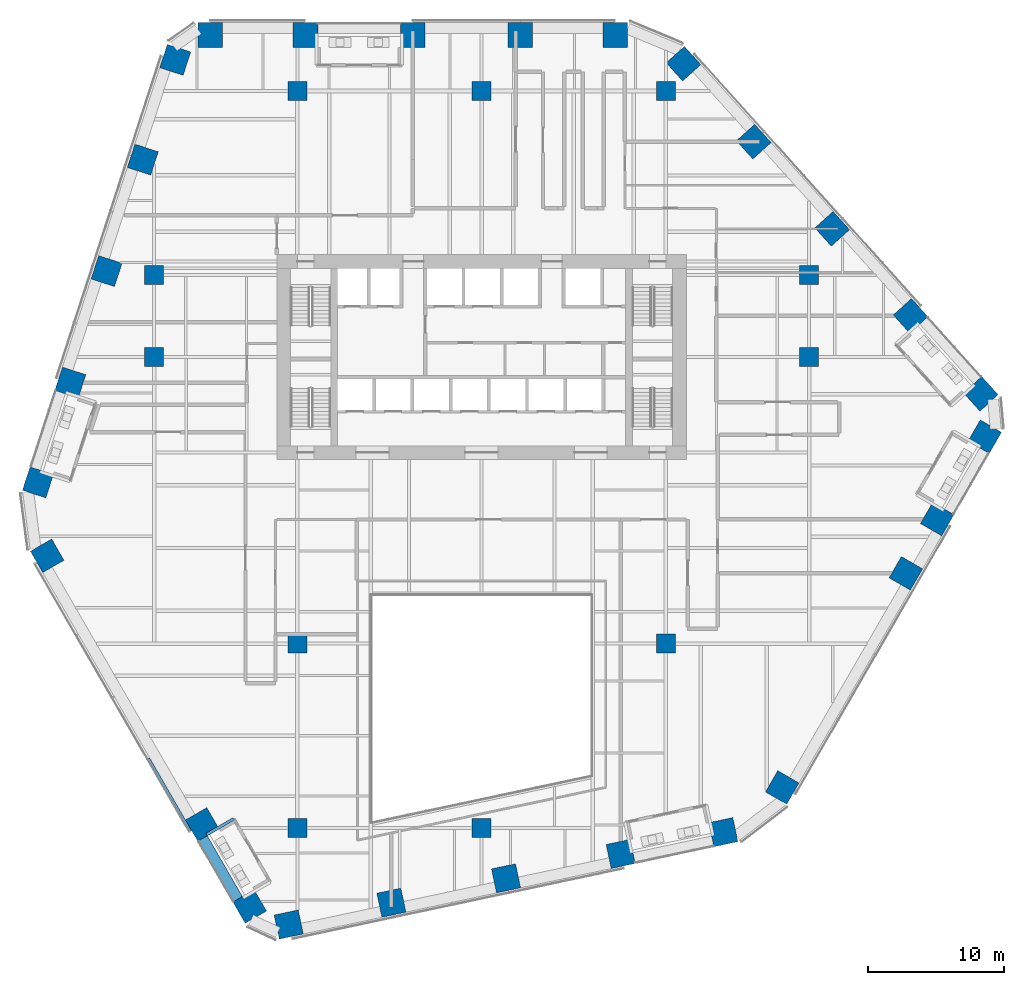
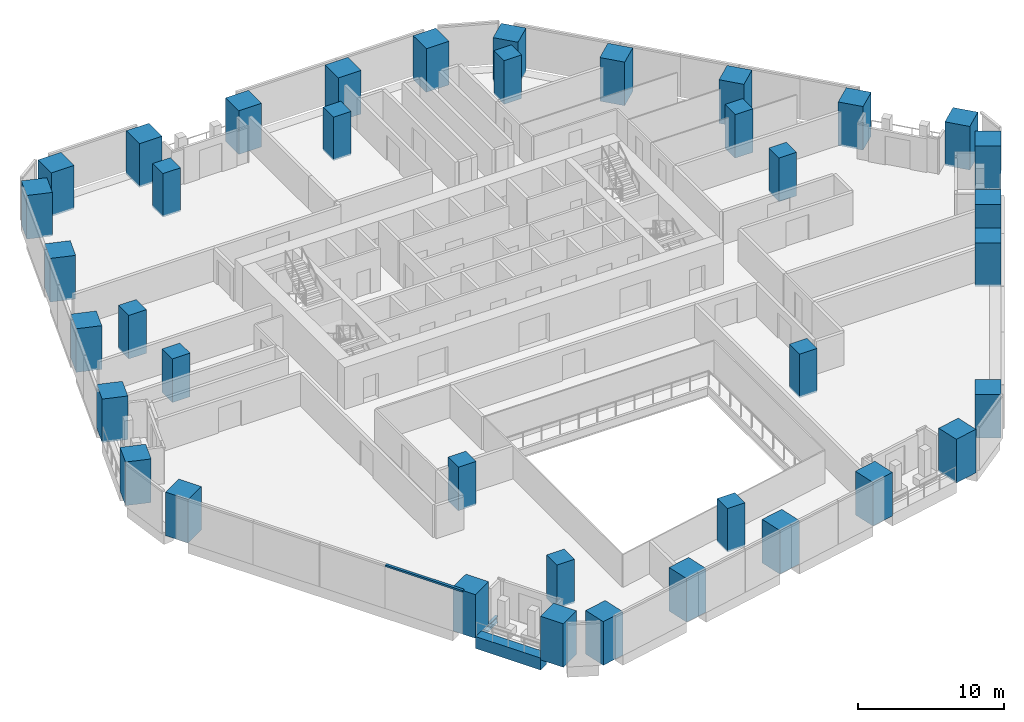
# One storey, part 1 of 31: 38 columns, 2 beams, 1 member, 1 element without a shape of its own.
"""IFC4 building model written with IfcOpenShell, lengths in metres."""

from ifc_helpers import new_model, si_unit, direction, frame, origin, origin_2d, place, context, subcontext, project, spatial, rectangle, i_section, extrude, material, layer, layer_set, material_profile, profile_set, type_object, element, aggregate, save


model = new_model("IFC4")

# Units and contexts
model_context = context("Model", 3, precision=1e-05, world=origin(), true_north=direction((0.0, 1.0)))
body_context = subcontext(model_context, "Body", "Model", "MODEL_VIEW")
ifc_project = project(units=[si_unit("LENGTHUNIT", "METRE"), si_unit("AREAUNIT", "SQUARE_METRE"), si_unit("VOLUMEUNIT", "CUBIC_METRE"), si_unit("PLANEANGLEUNIT", "RADIAN"), si_unit("MASSUNIT", "GRAM", prefix="KILO")], contexts=[model_context])

# Site, building, storey
site_placement = place(None, origin())
site = spatial("IfcSite", under=ifc_project, at=site_placement, CompositionType="ELEMENT")
building_placement = place(site_placement, origin())
building = spatial("IfcBuilding", under=site, at=building_placement, Name="Isthmus Gate Tower", CompositionType="ELEMENT")
storey_placement = place(building_placement, frame((0.0, 0.0, 54.25)))
storey = spatial("IfcBuildingStorey", under=building, at=storey_placement, Name="L11", CompositionType="ELEMENT", Elevation=54.25)

# Columns
ifc_material_1 = material(Name="Concrete f'c 70 MPa", Category="concrete")
ifc_material_profile_1 = material_profile(ifc_material_1, rectangle(XDim=1.39990234375, YDim=1.39990234375, at=origin_2d()), Name="RC 1400X1400")
ifc_profile_set_1 = profile_set([ifc_material_profile_1], Name="Concrete f'c 70 MPa")
column_type_1 = type_object("IfcColumnType", Name="RC INTERIOR COLUMN 1400 X 1400", PredefinedType="COLUMN", material=ifc_profile_set_1)
for number, where, z_axis, x_axis, name in (
    (1, (-24.0, 7.5, -0.14990234375), (0.0, 0.0, 1.0), (1.0, 0.0, 0.0), "str-icol-L11-ICA3"),
    (2, (-24.0, 13.5, -0.14990234375), (0.0, 0.0, 1.0), (1.0, 0.0, 0.0), "str-icol-L11-ICA4"),
    (3, (-13.5, -27.0, -0.14990234375), (0.0, 0.0, 1.0), (1.0, 0.0, 0.0), "str-icol-L11-ICB1"),
    (4, (-13.5, -13.5, -0.14990234375), (0.0, 0.0, 1.0), (1.0, 0.0, 0.0), "str-icol-L11-ICB2"),
    (5, (-13.5, 27.0, -0.14990234375), (0.0, 0.0, 1.0), (1.0, 0.0, 0.0), "str-icol-L11-ICB5"),
    (6, (0.0, -27.0, -0.14990234375), (0.0, 0.0, 1.0), (1.0, 0.0, 0.0), "str-icol-L11-ICC1"),
    (7, (0.0, 27.0, -0.14990234375), (0.0, 0.0, 1.0), (1.0, 0.0, 0.0), "str-icol-L11-ICC5"),
    (8, (13.5, -13.5, -0.14990234375), (0.0, 0.0, 1.0), (1.0, 0.0, 0.0), "str-icol-L11-ICD2"),
    (9, (13.5, 27.0, -0.14990234375), (0.0, 0.0, 1.0), (1.0, 0.0, 0.0), "str-icol-L11-ICD5"),
    (10, (24.0, 7.5, -0.14990234375), (0.0, 0.0, 1.0), (1.0, 0.0, 0.0), "str-icol-L11-ICE3"),
    (11, (24.0, 13.5, -0.14990234375), (0.0, 0.0, 1.0), (1.0, 0.0, 0.0), "str-icol-L11-ICE4"),
):
    element("IfcColumn", number, at=place(storey_placement, frame(where, z_axis=z_axis, x_axis=x_axis)), inside=storey, type_object=column_type_1, Name=name, PredefinedType="COLUMN", context=body_context, shape_type="SweptSolid", body=[
        extrude(rectangle(XDim=1.39990234375, YDim=1.39990234375, at=origin_2d()), origin(), (0.0, 0.0, 1.0), 3.64990234375),
    ])
ifc_material_2 = material(Name="Concrete f'c 70 MPa", Category="concrete")
ifc_material_profile_2 = material_profile(ifc_material_2, rectangle(XDim=1.800048828125, YDim=1.800048828125, at=origin_2d()), Name="RC 1800X1800")
ifc_profile_set_2 = profile_set([ifc_material_profile_2], Name="Concrete f'c 70 MPa")
column_type_2 = type_object("IfcColumnType", Name="RC TUBE COLUMN 1800 X 1800", PredefinedType="COLUMN", material=ifc_profile_set_2)
for number, where, z_axis, x_axis, name in (
    (12, (9.8017578125, 31.10009765625, -0.14990234375), (0.0, 0.0, 1.0), (-1.0, 0.0, 0.0), "str-tcol-L11-T1N0"),
    (13, (2.832275390625, 31.10009765625, -0.14990234375), (0.0, 0.0, 1.0), (-1.0, 0.0, 0.0), "str-tcol-L11-T1N1"),
    (14, (-5.037109375, 31.10009765625, -0.14990234375), (0.0, 0.0, 1.0), (-1.0, 0.0, 0.0), "str-tcol-L11-T1N2"),
    (15, (-12.90673828125, 31.10009765625, -0.14990234375), (0.0, 0.0, 1.0), (-1.0, 0.0, 0.0), "str-tcol-L11-T1N3"),
    (16, (-19.876220703125, 31.10009765625, -0.14990234375), (0.0, 0.0, 1.0), (-1.0, 0.0, 0.0), "str-tcol-L11-T1N4"),
    (17, (-22.451171875, 29.281005859375, -0.14990234375), (0.0, 0.0, 1.0), (-0.309016994375, -0.951056516295, 0.0), "str-tcol-L11-T1NW0"),
    (18, (-24.827392578125, 21.9677734375, -0.14990234375), (0.0, 0.0, 1.0), (-0.309016994375, -0.951056516295, 0.0), "str-tcol-L11-T1NW1"),
    (19, (-27.481689453125, 13.798828125, -0.14990234375), (0.0, 0.0, 1.0), (-0.309016994375, -0.951056516295, 0.0), "str-tcol-L11-T1NW2"),
    (20, (-30.135986328125, 5.6298828125, -0.14990234375), (0.0, 0.0, 1.0), (-0.309016994375, -0.951056516295, 0.0), "str-tcol-L11-T1NW3"),
    (21, (-32.511962890625, -1.68310546875, -0.14990234375), (0.0, 0.0, 1.0), (-0.309016994375, -0.951056516295, 0.0), "str-tcol-L11-T1NW4"),
    (22, (-31.834228515625, -7.061279296875, -0.14990234375), (0.0, 0.0, 1.0), (0.5, -0.866025403784, 0.0), "str-tcol-L11-T1SW0"),
    (23, (-20.467041015625, -26.75, -0.14990234375), (0.0, 0.0, 1.0), (0.5, -0.866025403784, 0.0), "str-tcol-L11-T1SW2"),
    (24, (-16.995361328125, -32.763427734375, -0.14990234375), (0.0, 0.0, 1.0), (0.5, -0.866025403784, 0.0), "str-tcol-L11-T1SW3"),
    (25, (-14.13232421875, -34.083740234375, -0.14990234375), (0.0, 0.0, 1.0), (0.978147600734, 0.207911690818, 0.0), "str-tcol-L11-T1S0"),
    (26, (-6.611083984375, -32.485107421875, -0.14990234375), (0.0, 0.0, 1.0), (0.978147600734, 0.207911690818, 0.0), "str-tcol-L11-T1S1"),
    (27, (1.79052734375, -30.69921875, -0.14990234375), (0.0, 0.0, 1.0), (0.978147600734, 0.207911690818, 0.0), "str-tcol-L11-T1S2"),
    (28, (10.192138671875, -28.91357421875, -0.14990234375), (0.0, 0.0, 1.0), (0.978147600734, 0.207911690818, 0.0), "str-tcol-L11-T1S3"),
    (29, (17.713623046875, -27.314697265625, -0.14990234375), (0.0, 0.0, 1.0), (0.978147600734, 0.207911690818, 0.0), "str-tcol-L11-T1S4"),
    (30, (22.032470703125, -24.03857421875, -0.14990234375), (0.0, 0.0, 1.0), (0.5, 0.866025403784, 0.0), "str-tcol-L11-T1SE0"),
    (31, (31.09033203125, -8.35009765625, -0.14990234375), (0.0, 0.0, 1.0), (0.5, 0.866025403784, 0.0), "str-tcol-L11-T1SE1"),
    (32, (33.38671875, -4.37255859375, -0.14990234375), (0.0, 0.0, 1.0), (0.5, 0.866025403784, 0.0), "str-tcol-L11-T1SE2"),
    (33, (36.87158203125, 1.663330078125, -0.14990234375), (0.0, 0.0, 1.0), (0.5, 0.866025403784, 0.0), "str-tcol-L11-T1SE3"),
    (34, (36.583740234375, 4.802978515625, -0.14990234375), (0.0, 0.0, 1.0), (-0.669130606359, 0.743144825477, 0.0), "str-tcol-L11-T1NE0"),
    (35, (31.4384765625, 10.517333984375, -0.14990234375), (0.0, 0.0, 1.0), (-0.669130606359, 0.743144825477, 0.0), "str-tcol-L11-T1NE1"),
    (36, (25.691162109375, 16.900390625, -0.14990234375), (0.0, 0.0, 1.0), (-0.669130606359, 0.743144825477, 0.0), "str-tcol-L11-T1NE2"),
    (37, (19.943603515625, 23.283447265625, -0.14990234375), (0.0, 0.0, 1.0), (-0.669130606359, 0.743144825477, 0.0), "str-tcol-L11-T1NE3"),
    (38, (14.798583984375, 28.997802734375, -0.14990234375), (0.0, 0.0, 1.0), (-0.669130606359, 0.743144825477, 0.0), "str-tcol-L11-T1NE4"),
):
    element("IfcColumn", number, at=place(storey_placement, frame(where, z_axis=z_axis, x_axis=x_axis)), inside=storey, type_object=column_type_2, Name=name, PredefinedType="COLUMN", context=body_context, shape_type="SweptSolid", body=[
        extrude(rectangle(XDim=1.800048828125, YDim=1.800048828125, at=origin_2d()), origin(), (0.0, 0.0, 1.0), 3.64990234375),
    ])

# Curtain wall, member
ifc_material_3 = material(Name="Aluminium, pale champagne anodised", Category="aluminium")
ifc_layer = layer(ifc_material_3, 0.199951171875)
ifc_layer_set = layer_set([ifc_layer], Name="CW-1 UNITISED CURTAIN WALL 200 DEEP")
curtain_wall_type = type_object("IfcCurtainWallType", Name="CW-1 UNITISED CURTAIN WALL 200 DEEP", PredefinedType="NOTDEFINED", material=ifc_layer_set)
curtain_wall_placement = place(storey_placement, origin())
curtain_wall = element("IfcCurtainWall", 39, at=curtain_wall_placement, inside=storey, type_object=curtain_wall_type, Name="CW-1 SW L11", PredefinedType="NOTDEFINED")
ifc_material_4 = material(Name="Aluminium, pale champagne anodised", Category="aluminium")
ifc_material_profile_3 = material_profile(ifc_material_4, rectangle(XDim=0.199951171875, YDim=0.14990234375, at=origin_2d()), Name="200x150")
ifc_profile_set_3 = profile_set([ifc_material_profile_3], Name="Aluminium, pale champagne anodised")
member_type = type_object("IfcMemberType", Name="CW-1 TRANSOM 200 X 150", PredefinedType="USERDEFINED", material=ifc_profile_set_3)
member_placement = place(storey_placement, frame((-24.39990234375, -21.938232421875, 3.574951171875), z_axis=(0.500017618927, -0.866015231253, 0.0), x_axis=(0.866015231253, 0.500017618927, 0.0)))
member = element("IfcMember", 40, at=member_placement, type_object=member_type, Name="CW-1 transom", ObjectType="TRANSOM", PredefinedType="USERDEFINED", context=body_context, shape_type="SweptSolid", body=[
    extrude(rectangle(XDim=0.199951171875, YDim=0.14990234375, at=origin_2d()), origin(), (0.0, 0.0, 1.0), 6.133544921875),
])
aggregate(curtain_wall, [member])

# Beams
ifc_material_5 = material(Name="Concrete f'c 70 MPa", Category="concrete")
ifc_material_profile_4 = material_profile(ifc_material_5, rectangle(XDim=0.800048828125, YDim=1.0, at=origin_2d()), Name="RC 800X1000")
ifc_profile_set_4 = profile_set([ifc_material_profile_4], Name="Concrete f'c 70 MPa")
beam_type_1 = type_object("IfcBeamType", Name="RC SPANDREL 800 X 1000", PredefinedType="SPANDREL", material=ifc_profile_set_4)
beam_1_placement = place(storey_placement, frame((-17.878173828125, -32.23388671875, -0.5), z_axis=(-0.500044296292, 0.865999827798, 0.0), x_axis=(-0.865999827798, -0.500044296292, 0.0)))
element("IfcBeam", 41, at=beam_1_placement, inside=storey, type_object=beam_type_1, Name="str-spandrel-L11-15", PredefinedType="SPANDREL", context=body_context, shape_type="SweptSolid", body=[
    extrude(rectangle(XDim=0.800048828125, YDim=1.0, at=origin_2d()), origin(), (0.0, 0.0, 1.0), 5.1435546875),
])
ifc_material_6 = material(Name="Structural steel ASTM A992 Gr 50", Category="steel")
ifc_material_profile_5 = material_profile(ifc_material_6, i_section(OverallWidth=0.20947265625, OverallDepth=0.533447265625, WebThickness=0.009521484375, FlangeThickness=0.015869140625, at=origin_2d()), Name="W21X62")
ifc_profile_set_5 = profile_set([ifc_material_profile_5], Name="Structural steel ASTM A992 Gr 50")
beam_type_2 = type_object("IfcBeamType", Name="STEEL TRIMMER W21X62", PredefinedType="BEAM", material=ifc_profile_set_5)
beam_2_placement = place(storey_placement, frame((-20.156005859375, -27.48876953125, -0.416748046875), z_axis=(0.866017993231, 0.500012835235, 0.0), x_axis=(-0.500012835235, 0.866017993231, 0.0)))
element("IfcBeam", 42, at=beam_2_placement, inside=storey, type_object=beam_type_2, Name="str-loggiatrim-L11-03-A", PredefinedType="BEAM", context=body_context, shape_type="SweptSolid", body=[
    extrude(i_section(OverallWidth=0.20947265625, OverallDepth=0.533447265625, WebThickness=0.009521484375, FlangeThickness=0.015869140625, at=origin_2d()), origin(), (0.0, 0.0, 1.0), 2.3046875),
])

save(model, "model.ifc")
